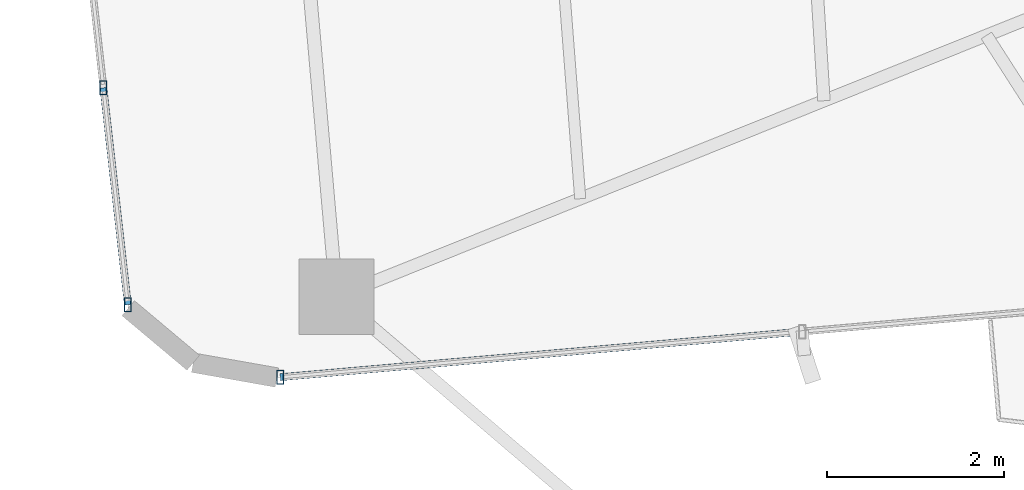
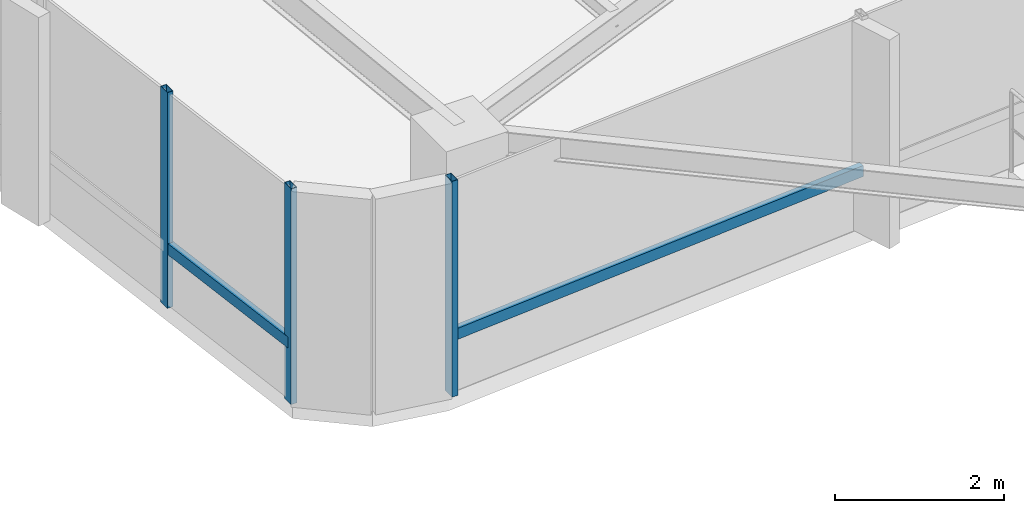
# One storey, part 3 of 24: 5 members, 2 elements without a shape of their own.
"""IFC4 building model written with IfcOpenShell, lengths in metres."""

from ifc_helpers import new_model, si_unit, direction, frame, origin, origin_2d, place, context, subcontext, project, spatial, hollow_rectangle, extrude, source, transform, mapped, material, material_profile, profile_set, type_object, element, aggregate, save


model = new_model("IFC4")

# Units and contexts
model_context = context("Model", 3, precision=1e-05, world=origin(), true_north=direction((0.0, 1.0)))
body_context = subcontext(model_context, "Body", "Model", "MODEL_VIEW")
ifc_project = project(units=[si_unit("LENGTHUNIT", "METRE"), si_unit("AREAUNIT", "SQUARE_METRE"), si_unit("VOLUMEUNIT", "CUBIC_METRE"), si_unit("PLANEANGLEUNIT", "RADIAN"), si_unit("MASSUNIT", "GRAM", prefix="KILO")], contexts=[model_context])

# Site, building, storey
site_placement = place(None, origin())
site = spatial("IfcSite", under=ifc_project, at=site_placement, CompositionType="ELEMENT")
building_placement = place(site_placement, origin())
building = spatial("IfcBuilding", under=site, at=building_placement, Name="Sahyath Konkavel Grand Hotel", CompositionType="ELEMENT")
storey_placement = place(building_placement, frame((0.0, 0.0, 188.60009765625)))
storey = spatial("IfcBuildingStorey", under=building, at=storey_placement, Name="L52", CompositionType="ELEMENT", Elevation=188.60009765625)

# Curtain wall, members
ifc_material_1 = material(Name="Anodised Bronze Aluminium & Low-E Glazing", Category="aluminium")
curtain_wall_type = type_object("IfcCurtainWallType", Name="CW-ZONE3", PredefinedType="NOTDEFINED", material=ifc_material_1)
curtain_wall_1_placement = place(storey_placement, origin())
curtain_wall_1 = element("IfcCurtainWall", 1, at=curtain_wall_1_placement, inside=storey, type_object=curtain_wall_type, Name="L52 Unitised Curtain Wall F20", PredefinedType="NOTDEFINED")
ifc_material_2 = material(Name="Anodised Bronze Aluminium", Category="aluminium")
ifc_material_profile_1 = material_profile(ifc_material_2, hollow_rectangle(XDim=0.080078125, YDim=0.159912109375, WallThickness=0.006103515625, at=origin_2d()), Name="RHS 160x80x6")
ifc_profile_set_1 = profile_set([ifc_material_profile_1], Name="Anodised Bronze Aluminium")
member_type_1 = type_object("IfcMemberType", Name="CW-MUL-160", PredefinedType="MULLION", material=ifc_profile_set_1)
shared_shape_1 = source(origin(), body_context, "Body", "SweptSolid", [
    extrude(hollow_rectangle(XDim=0.080078125, YDim=0.159912109375, WallThickness=0.006103515625, at=origin_2d()), origin(), (0.0, 0.0, 1.0), 3.10986328125),
])
member_1_placement = place(storey_placement, frame((-19.583984375, -4.648193359375, 0.0), z_axis=(0.0, 0.0, 1.0), x_axis=(1.0, 0.0, 0.0)))
member_1 = element("IfcMember", 2, at=member_1_placement, type_object=member_type_1, Name="L52 Curtain Wall Mullion F20-3", PredefinedType="MULLION", context=body_context, shape_type="MappedRepresentation", body=[
    mapped(shared_shape_1, transform((0.0, 0.0, 0.0), scale=1.0)),
])
member_2_placement = place(storey_placement, frame((-19.308349609375, -7.094970703125, 0.0), z_axis=(0.0, 0.0, 1.0), x_axis=(1.0, 0.0, 0.0)))
member_2 = element("IfcMember", 3, at=member_2_placement, type_object=member_type_1, Name="L52 Curtain Wall Mullion F20-4", PredefinedType="MULLION", context=body_context, shape_type="MappedRepresentation", body=[
    mapped(shared_shape_1, transform((0.0, 0.0, 0.0), scale=1.0)),
])

# Curtain wall, member
curtain_wall_2_placement = place(storey_placement, origin())
curtain_wall_2 = element("IfcCurtainWall", 4, at=curtain_wall_2_placement, inside=storey, type_object=curtain_wall_type, Name="L52 Unitised Curtain Wall F23", PredefinedType="NOTDEFINED")
member_3_placement = place(storey_placement, frame((-17.58740234375, -7.912841796875, 0.0), z_axis=(0.0, 0.0, 1.0), x_axis=(1.0, 0.0, 0.0)))
member_3 = element("IfcMember", 5, at=member_3_placement, type_object=member_type_1, Name="L52 Curtain Wall Mullion F23-0", PredefinedType="MULLION", context=body_context, shape_type="MappedRepresentation", body=[
    mapped(shared_shape_1, transform((0.0, 0.0, 0.0), scale=1.0)),
])

# Member
ifc_material_profile_2 = material_profile(ifc_material_2, hollow_rectangle(XDim=0.080078125, YDim=0.159912109375, WallThickness=0.006103515625, at=origin_2d()), Name="RHS 160x80x6")
ifc_profile_set_2 = profile_set([ifc_material_profile_2], Name="Anodised Bronze Aluminium")
member_type_2 = type_object("IfcMemberType", Name="CW-TRN-160", PredefinedType="USERDEFINED", material=ifc_profile_set_2)
shared_shape_2 = source(origin(), body_context, "Body", "SweptSolid", [
    extrude(hollow_rectangle(XDim=0.080078125, YDim=0.159912109375, WallThickness=0.006103515625, at=origin_2d()), origin(), (0.0, 0.0, 1.0), 2.462158203125),
])
member_4_placement = place(storey_placement, frame((-19.583984375, -4.648193359375, 0.849853515625), z_axis=(0.11194409079, -0.993714506555, 0.0), x_axis=(0.993714506555, 0.11194409079, 0.0)))
member_4 = element("IfcMember", 6, at=member_4_placement, type_object=member_type_2, Name="L52 Curtain Wall Transom F20-3-spandrel", ObjectType="TRANSOM", PredefinedType="USERDEFINED", context=body_context, shape_type="MappedRepresentation", body=[
    mapped(shared_shape_2, transform((0.0, 0.0, 0.0), scale=1.0)),
])

aggregate(curtain_wall_1, [member_1, member_2, member_4])

shared_shape_3 = source(origin(), body_context, "Body", "SweptSolid", [
    extrude(hollow_rectangle(XDim=0.080078125, YDim=0.159912109375, WallThickness=0.006103515625, at=origin_2d()), origin(), (0.0, 0.0, 1.0), 5.91015625),
])
member_5_placement = place(storey_placement, frame((-17.58740234375, -7.912841796875, 0.849853515625), z_axis=(0.996197841474, 0.087119806256, 0.0), x_axis=(-0.087119806256, 0.996197841474, 0.0)))
member_5 = element("IfcMember", 7, at=member_5_placement, type_object=member_type_2, Name="L52 Curtain Wall Transom F23-0-spandrel", ObjectType="TRANSOM", PredefinedType="USERDEFINED", context=body_context, shape_type="MappedRepresentation", body=[
    mapped(shared_shape_3, transform((0.0, 0.0, 0.0), scale=1.0)),
])

aggregate(curtain_wall_2, [member_3, member_5])

save(model, "model.ifc")
